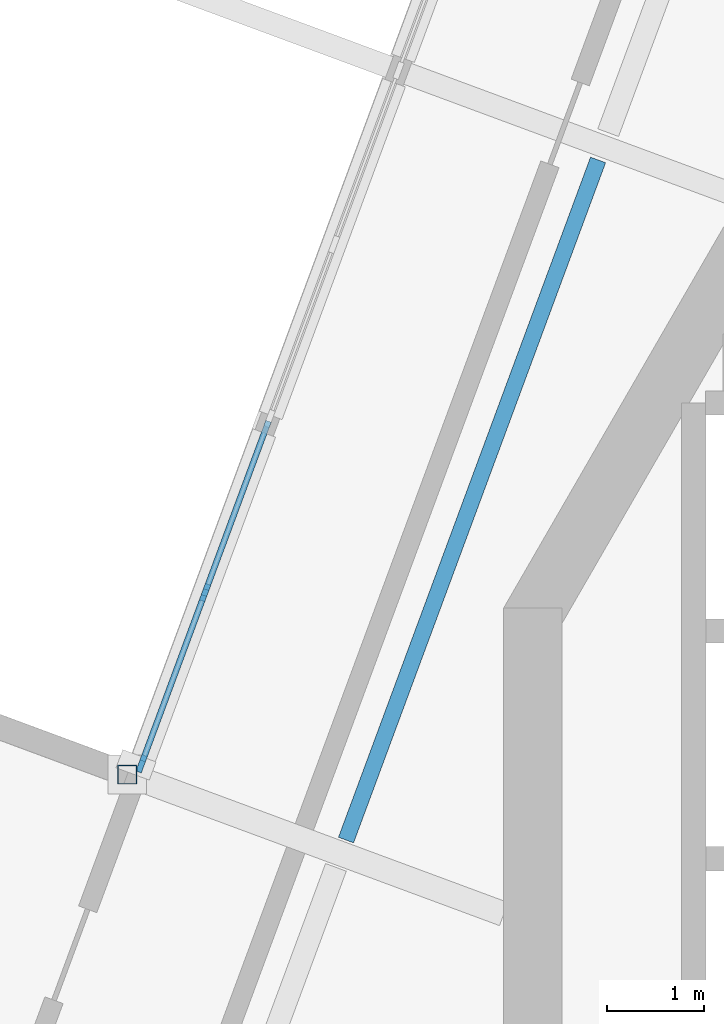
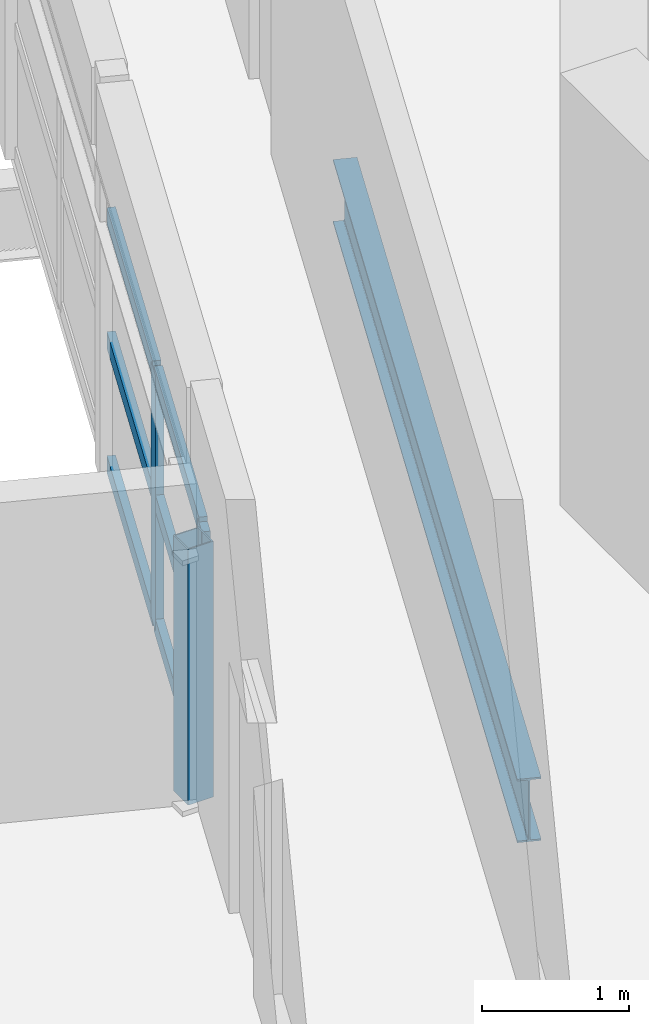
# One storey, part 2 of 20: 9 members, 1 beam, 1 element without a shape of its own.
"""IFC4 building model written with IfcOpenShell, lengths in metres."""

from ifc_helpers import new_model, si_unit, direction, frame, origin, origin_2d, place, context, subcontext, project, spatial, rectangle, hollow_rectangle, i_section, extrude, material, material_profile, profile_set, type_object, element, aggregate, save


model = new_model("IFC4")

# Units and contexts
model_context = context("Model", 3, precision=1e-05, world=origin(), true_north=direction((0.0, 1.0)))
body_context = subcontext(model_context, "Body", "Model", "MODEL_VIEW")
ifc_project = project(units=[si_unit("LENGTHUNIT", "METRE"), si_unit("AREAUNIT", "SQUARE_METRE"), si_unit("VOLUMEUNIT", "CUBIC_METRE"), si_unit("PLANEANGLEUNIT", "RADIAN"), si_unit("MASSUNIT", "GRAM", prefix="KILO")], contexts=[model_context])

# Site, building, storey
site_placement = place(None, origin())
site = spatial("IfcSite", under=ifc_project, at=site_placement, CompositionType="ELEMENT")
building_placement = place(site_placement, origin())
building = spatial("IfcBuilding", under=site, at=building_placement, Name="Cantera Rosa Tower", CompositionType="ELEMENT")
storey_placement = place(building_placement, frame((0.0, 0.0, 313.300048828125)))
storey = spatial("IfcBuildingStorey", under=building, at=storey_placement, Name="L69", CompositionType="ELEMENT", Elevation=313.300048828125)

# Curtain wall, members
ifc_material_1 = material(Name="Aluminium frame with clear glass", Category="aluminium")
curtain_wall_type = type_object("IfcCurtainWallType", Name="CW1 TERRACE POCKET GLAZING", PredefinedType="NOTDEFINED", material=ifc_material_1)
curtain_wall_placement = place(storey_placement, origin())
curtain_wall = element("IfcCurtainWall", 1, at=curtain_wall_placement, inside=storey, type_object=curtain_wall_type, Name="CW1 CW1", PredefinedType="NOTDEFINED")
ifc_material_2 = material(Name="Anodised bronze aluminium", Category="aluminium")
ifc_material_profile_1 = material_profile(ifc_material_2, rectangle(XDim=0.06005859375, YDim=0.179931640625, at=origin_2d()), Name="CW-MULLION 60x180 POCKET")
ifc_profile_set_1 = profile_set([ifc_material_profile_1], Name="Anodised bronze aluminium")
member_type_1 = type_object("IfcMemberType", Name="CW-MULLION 60x180 POCKET", PredefinedType="MULLION", material=ifc_profile_set_1)
member_1_placement = place(storey_placement, frame((-12.739501953125, 2.74658203125, 0.0), z_axis=(0.0, 0.0, 1.0), x_axis=(0.93768693693, -0.347481234472, 0.0)))
member_1 = element("IfcMember", 2, at=member_1_placement, type_object=member_type_1, Name="CW1 mullion 8", PredefinedType="MULLION", context=body_context, shape_type="SweptSolid", body=[
    extrude(rectangle(XDim=0.06005859375, YDim=0.179931640625, at=origin_2d()), origin(), (0.0, 0.0, 1.0), 2.1279296875),
])
member_2_placement = place(storey_placement, frame((-13.39404296875, 0.980224609375, 0.0), z_axis=(0.0, 0.0, 1.0), x_axis=(0.93768693693, -0.347481234472, 0.0)))
member_2 = element("IfcMember", 3, at=member_2_placement, type_object=member_type_1, Name="CW1 mullion 9", PredefinedType="MULLION", context=body_context, shape_type="SweptSolid", body=[
    extrude(rectangle(XDim=0.06005859375, YDim=0.179931640625, at=origin_2d()), origin(), (0.0, 0.0, 1.0), 2.1279296875),
])
ifc_material_3 = material(Name="Anodised bronze aluminium", Category="aluminium")
ifc_material_profile_2 = material_profile(ifc_material_3, rectangle(XDim=0.06005859375, YDim=0.139892578125, at=origin_2d()), Name="CW-TRANSOM 60x140 POCKET")
ifc_profile_set_2 = profile_set([ifc_material_profile_2], Name="Anodised bronze aluminium")
member_type_2 = type_object("IfcMemberType", Name="CW-TRANSOM 60x140 POCKET", PredefinedType="USERDEFINED", material=ifc_profile_set_2)
member_3_placement = place(storey_placement, frame((-12.0849609375, 4.512939453125, 0.030029296875), z_axis=(-0.347425877782, -0.937707448753, 0.0), x_axis=(0.937707448753, -0.347425877782, 0.0)))
member_3 = element("IfcMember", 4, at=member_3_placement, type_object=member_type_2, Name="CW1 transom 7.1", ObjectType="TRANSOM", PredefinedType="USERDEFINED", context=body_context, shape_type="SweptSolid", body=[
    extrude(rectangle(XDim=0.06005859375, YDim=0.139892578125, at=origin_2d()), origin(), (0.0, 0.0, 1.0), 1.853759765625),
])
member_4_placement = place(storey_placement, frame((-12.0849609375, 4.512939453125, 1.06396484375), z_axis=(-0.347425877782, -0.937707448753, 0.0), x_axis=(0.937707448753, -0.347425877782, 0.0)))
member_4 = element("IfcMember", 5, at=member_4_placement, type_object=member_type_2, Name="CW1 transom 7.2", ObjectType="TRANSOM", PredefinedType="USERDEFINED", context=body_context, shape_type="SweptSolid", body=[
    extrude(rectangle(XDim=0.06005859375, YDim=0.139892578125, at=origin_2d()), origin(), (0.0, 0.0, 1.0), 1.853759765625),
])
member_5_placement = place(storey_placement, frame((-12.0849609375, 4.512939453125, 2.097900390625), z_axis=(-0.347425877782, -0.937707448753, 0.0), x_axis=(0.937707448753, -0.347425877782, 0.0)))
member_5 = element("IfcMember", 6, at=member_5_placement, type_object=member_type_2, Name="CW1 transom 7.3", ObjectType="TRANSOM", PredefinedType="USERDEFINED", context=body_context, shape_type="SweptSolid", body=[
    extrude(rectangle(XDim=0.06005859375, YDim=0.139892578125, at=origin_2d()), origin(), (0.0, 0.0, 1.0), 1.853759765625),
])
member_6_placement = place(storey_placement, frame((-12.749755859375, 2.718505859375, 0.030029296875), z_axis=(-0.347497456421, -0.937680925358, 0.0), x_axis=(0.937680925358, -0.347497456421, 0.0)))
member_6 = element("IfcMember", 7, at=member_6_placement, type_object=member_type_2, Name="CW1 transom 8.1", ObjectType="TRANSOM", PredefinedType="USERDEFINED", context=body_context, shape_type="SweptSolid", body=[
    extrude(rectangle(XDim=0.06005859375, YDim=0.139892578125, at=origin_2d()), origin(), (0.0, 0.0, 1.0), 1.823974609375),
])
member_7_placement = place(storey_placement, frame((-12.749755859375, 2.718505859375, 1.06396484375), z_axis=(-0.347497456421, -0.937680925358, 0.0), x_axis=(0.937680925358, -0.347497456421, 0.0)))
member_7 = element("IfcMember", 8, at=member_7_placement, type_object=member_type_2, Name="CW1 transom 8.2", ObjectType="TRANSOM", PredefinedType="USERDEFINED", context=body_context, shape_type="SweptSolid", body=[
    extrude(rectangle(XDim=0.06005859375, YDim=0.139892578125, at=origin_2d()), origin(), (0.0, 0.0, 1.0), 1.823974609375),
])
member_8_placement = place(storey_placement, frame((-12.749755859375, 2.718505859375, 2.097900390625), z_axis=(-0.347497456421, -0.937680925358, 0.0), x_axis=(0.937680925358, -0.347497456421, 0.0)))
member_8 = element("IfcMember", 9, at=member_8_placement, type_object=member_type_2, Name="CW1 transom 8.3", ObjectType="TRANSOM", PredefinedType="USERDEFINED", context=body_context, shape_type="SweptSolid", body=[
    extrude(rectangle(XDim=0.06005859375, YDim=0.139892578125, at=origin_2d()), origin(), (0.0, 0.0, 1.0), 1.823974609375),
])
aggregate(curtain_wall, [member_1, member_2, member_3, member_4, member_5, member_6, member_7, member_8])

# Member
ifc_material_4 = material(Name="Steel ASTM A992 (Fy 345 MPa)", Category="steel")
ifc_material_profile_3 = material_profile(ifc_material_4, hollow_rectangle(XDim=0.199951171875, YDim=0.199951171875, WallThickness=0.010009765625, at=origin_2d()), Name="LINTEL POST RHS 200x200x10")
ifc_profile_set_3 = profile_set([ifc_material_profile_3], Name="Steel ASTM A992 (Fy 345 MPa)")
member_type_3 = type_object("IfcMemberType", Name="LINTEL POST RHS 200x200x10", PredefinedType="USERDEFINED", material=ifc_profile_set_3)
member_9_placement = place(storey_placement, frame((-13.54150390625, 0.86962890625, 0.0), z_axis=(0.0, 0.0, 1.0), x_axis=(1.0, 0.0, 0.0)))
element("IfcMember", 10, at=member_9_placement, inside=storey, type_object=member_type_3, Name="LINTEL POST L69-2", ObjectType="LINTEL POST", PredefinedType="USERDEFINED", context=body_context, shape_type="SweptSolid", body=[
    extrude(hollow_rectangle(XDim=0.199951171875, YDim=0.199951171875, WallThickness=0.010009765625, at=origin_2d()), origin(), (0.0, 0.0, 1.0), 2.1298828125),
])

# Beam
ifc_material_5 = material(Name="Steel ASTM A992 (Fy 345 MPa)", Category="steel")
ifc_material_profile_4 = material_profile(ifc_material_5, i_section(OverallWidth=0.166015625, OverallDepth=0.528076171875, WebThickness=0.009765625, FlangeThickness=0.013671875, FilletRadius=0.0126953125, at=origin_2d()), Name="W530X74")
ifc_profile_set_4 = profile_set([ifc_material_profile_4], Name="Steel ASTM A992 (Fy 345 MPa)")
beam_type = type_object("IfcBeamType", Name="STEEL BEAM W530X74", PredefinedType="BEAM", material=ifc_profile_set_4)
beam_placement = place(storey_placement, frame((-11.285888671875, 0.19384765625, -0.51416015625), z_axis=(0.347486566882, 0.937684960867, 0.0), x_axis=(-0.937684960867, 0.347486566882, 0.0)))
element("IfcBeam", 11, at=beam_placement, inside=storey, type_object=beam_type, Name="RB-Z6-02 L69", PredefinedType="BEAM", context=body_context, shape_type="SweptSolid", body=[
    extrude(i_section(OverallWidth=0.166015625, OverallDepth=0.528076171875, WebThickness=0.009765625, FlangeThickness=0.013671875, FilletRadius=0.0126953125, at=origin_2d()), origin(), (0.0, 0.0, 1.0), 7.479736328125),
])

save(model, "model.ifc")
